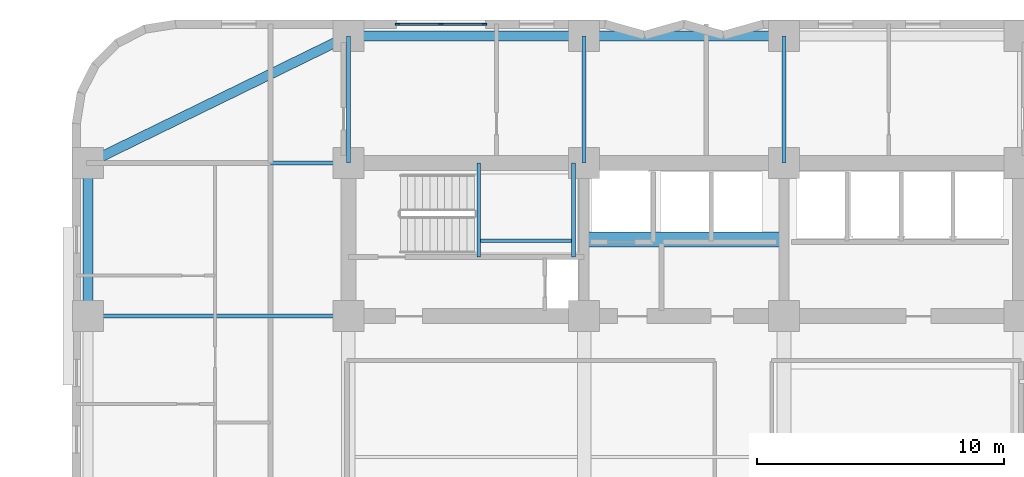
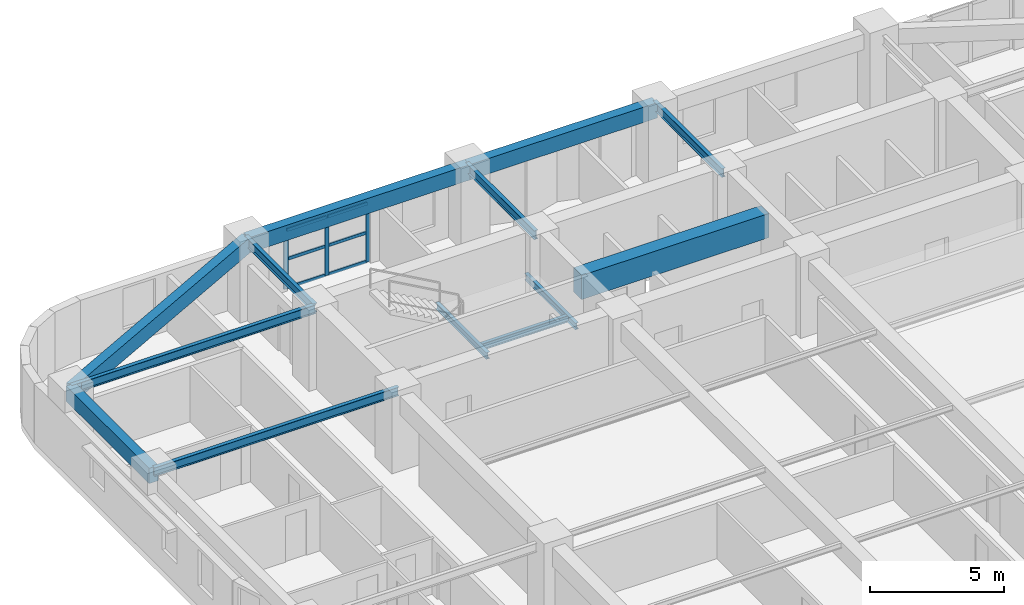
# One storey, part 3 of 13: 13 beams, 9 members, 1 element without a shape of its own.
"""IFC4 building model written with IfcOpenShell, lengths in metres."""

from ifc_helpers import new_model, si_unit, direction, frame, origin, origin_2d, place, context, subcontext, project, spatial, rectangle, i_section, extrude, material, material_profile, profile_set, type_object, element, aggregate, save


model = new_model("IFC4")

# Units and contexts
model_context = context("Model", 3, precision=1e-05, world=origin(), true_north=direction((0.0, 1.0)))
body_context = subcontext(model_context, "Body", "Model", "MODEL_VIEW")
ifc_project = project(units=[si_unit("LENGTHUNIT", "METRE"), si_unit("AREAUNIT", "SQUARE_METRE"), si_unit("VOLUMEUNIT", "CUBIC_METRE"), si_unit("PLANEANGLEUNIT", "RADIAN"), si_unit("MASSUNIT", "GRAM", prefix="KILO")], contexts=[model_context])

# Site, building, storey
site_placement = place(None, origin())
site = spatial("IfcSite", under=ifc_project, at=site_placement, CompositionType="ELEMENT")
building_placement = place(site_placement, origin())
building = spatial("IfcBuilding", under=site, at=building_placement, Name="Svetorya Sky Lyceum", CompositionType="ELEMENT")
storey_placement = place(building_placement, frame((0.0, 0.0, 58.39990234375)))
storey = spatial("IfcBuildingStorey", under=building, at=storey_placement, Name="L14", CompositionType="ELEMENT", Elevation=58.39990234375)

# Beams
ifc_material_1 = material(Name="Concrete C60/75", Category="concrete")
ifc_material_profile_1 = material_profile(ifc_material_1, rectangle(XDim=0.60009765625, YDim=1.10009765625, at=origin_2d()), Name="RC COUPLING 600x1100")
ifc_profile_set_1 = profile_set([ifc_material_profile_1], Name="Concrete C60/75")
beam_type_1 = type_object("IfcBeamType", Name="BM-CPL-1100", PredefinedType="LINTEL", material=ifc_profile_set_1)
beam_1_placement = place(storey_placement, frame((35.14990234375, 42.699951171875, 2.8701171875), z_axis=(1.0, 0.0, 0.0), x_axis=(0.0, 1.0, 0.0)))
element("IfcBeam", 1, at=beam_1_placement, inside=storey, type_object=beam_type_1, Name="L14 NC Core Coupling Beam", PredefinedType="LINTEL", context=body_context, shape_type="SweptSolid", body=[
    extrude(rectangle(XDim=0.60009765625, YDim=1.10009765625, at=origin_2d()), origin(), (0.0, 0.0, 1.0), 8.10009765625),
])
ifc_material_2 = material(Name="Concrete C50/60", Category="concrete")
ifc_material_profile_2 = material_profile(ifc_material_2, rectangle(XDim=0.39990234375, YDim=0.699951171875, at=origin_2d()), Name="RC SPANDREL 400x700")
ifc_profile_set_2 = profile_set([ifc_material_profile_2], Name="Concrete C50/60")
beam_type_2 = type_object("IfcBeamType", Name="BM-SPN-700", PredefinedType="SPANDREL", material=ifc_profile_set_2)
beam_2_placement = place(storey_placement, frame((25.60009765625, 50.949951171875, 3.070068359375), z_axis=(1.0, 0.0, 0.0), x_axis=(0.0, 1.0, 0.0)))
element("IfcBeam", 2, at=beam_2_placement, inside=storey, type_object=beam_type_2, Name="L14 North Spandrel 1", PredefinedType="SPANDREL", context=body_context, shape_type="SweptSolid", body=[
    extrude(rectangle(XDim=0.39990234375, YDim=0.699951171875, at=origin_2d()), origin(), (0.0, 0.0, 1.0), 9.5498046875),
])
beam_3_placement = place(storey_placement, frame((35.14990234375, 50.949951171875, 3.070068359375), z_axis=(1.0, 0.0, 0.0), x_axis=(0.0, 1.0, 0.0)))
element("IfcBeam", 3, at=beam_3_placement, inside=storey, type_object=beam_type_2, Name="L14 North Spandrel 2", PredefinedType="SPANDREL", context=body_context, shape_type="SweptSolid", body=[
    extrude(rectangle(XDim=0.39990234375, YDim=0.699951171875, at=origin_2d()), origin(), (0.0, 0.0, 1.0), 8.10009765625),
])
beam_4_placement = place(storey_placement, frame((15.050048828125, 45.800048828125, 3.070068359375), z_axis=(0.898649693653, 0.438666989978, 0.0), x_axis=(-0.438666989978, 0.898649693653, 0.0)))
element("IfcBeam", 4, at=beam_4_placement, inside=storey, type_object=beam_type_2, Name="L14 Corner Spandrel 4", PredefinedType="SPANDREL", context=body_context, shape_type="SweptSolid", body=[
    extrude(rectangle(XDim=0.39990234375, YDim=0.699951171875, at=origin_2d()), origin(), (0.0, 0.0, 1.0), 11.739990234375),
])
beam_5_placement = place(storey_placement, frame((15.050048828125, 39.60009765625, 3.070068359375), z_axis=(0.0, 1.0, 0.0), x_axis=(-1.0, 0.0, 0.0)))
element("IfcBeam", 5, at=beam_5_placement, inside=storey, type_object=beam_type_2, Name="L14 West Spandrel 4", PredefinedType="SPANDREL", context=body_context, shape_type="SweptSolid", body=[
    extrude(rectangle(XDim=0.39990234375, YDim=0.699951171875, at=origin_2d()), origin(), (0.0, 0.0, 1.0), 6.199951171875),
])
ifc_material_3 = material(Name="Steel S355", Category="steel")
ifc_material_profile_3 = material_profile(ifc_material_3, i_section(OverallWidth=0.14990234375, OverallDepth=0.299072265625, WebThickness=0.006591796875, FlangeThickness=0.010498046875, at=origin_2d()), Name="GOST 30B2")
ifc_profile_set_3 = profile_set([ifc_material_profile_3], Name="Steel S355")
beam_type_3 = type_object("IfcBeamType", Name="BM-STL-30B2", PredefinedType="JOIST", material=ifc_profile_set_3)
for number, where, z_axis, x_axis, name in (
    (6, (30.8798828125, 42.0, 1.50048828125), (0.0, 1.0, 0.0), (-1.0, 0.0, 0.0), "L14 Stair ST-N Half-Landing Support Beam 16.1"),
    (7, (34.719970703125, 42.0, 1.50048828125), (0.0, 1.0, 0.0), (-1.0, 0.0, 0.0), "L14 Stair ST-N Half-Landing Support Beam 16.2"),
):
    element("IfcBeam", number, at=place(storey_placement, frame(where, z_axis=z_axis, x_axis=x_axis)), inside=storey, type_object=beam_type_3, Name=name, PredefinedType="JOIST", context=body_context, shape_type="SweptSolid", body=[
        extrude(i_section(OverallWidth=0.14990234375, OverallDepth=0.299072265625, WebThickness=0.006591796875, FlangeThickness=0.010498046875, at=origin_2d()), origin(), (0.0, 0.0, 1.0), 3.800048828125),
    ])
beam_6_placement = place(storey_placement, frame((30.8798828125, 42.64990234375, 1.50048828125), z_axis=(1.0, 0.0, 0.0), x_axis=(0.0, 1.0, 0.0)))
element("IfcBeam", 8, at=beam_6_placement, inside=storey, type_object=beam_type_3, Name="L14 Stair ST-N Half-Landing Cross Tie 16", PredefinedType="JOIST", context=body_context, shape_type="SweptSolid", body=[
    extrude(i_section(OverallWidth=0.14990234375, OverallDepth=0.299072265625, WebThickness=0.006591796875, FlangeThickness=0.010498046875, at=origin_2d()), origin(), (0.0, 0.0, 1.0), 3.840087890625),
])
ifc_material_profile_4 = material_profile(ifc_material_3, i_section(OverallWidth=0.1650390625, OverallDepth=0.39990234375, WebThickness=0.008056640625, FlangeThickness=0.012939453125, at=origin_2d()), Name="GOST 40B2")
ifc_profile_set_4 = profile_set([ifc_material_profile_4], Name="Steel S355")
beam_type_4 = type_object("IfcBeamType", Name="BM-STL-40B2", PredefinedType="JOIST", material=ifc_profile_set_4)
for number, where, z_axis, x_axis, name in (
    (9, (15.050048828125, 39.60009765625, 3.22021484375), (1.0, 0.0, 0.0), (0.0, 1.0, 0.0), "L14 West Wing Floor Joist W4"),
    (10, (15.050048828125, 45.800048828125, 3.22021484375), (1.0, 0.0, 0.0), (0.0, 1.0, 0.0), "L14 West Wing Floor Joist W5"),
):
    element("IfcBeam", number, at=place(storey_placement, frame(where, z_axis=z_axis, x_axis=x_axis)), inside=storey, type_object=beam_type_4, Name=name, PredefinedType="JOIST", context=body_context, shape_type="SweptSolid", body=[
        extrude(i_section(OverallWidth=0.1650390625, OverallDepth=0.39990234375, WebThickness=0.008056640625, FlangeThickness=0.012939453125, at=origin_2d()), origin(), (0.0, 0.0, 1.0), 10.550048828125),
    ])
for number, where, z_axis, x_axis, name in (
    (11, (25.60009765625, 45.800048828125, 3.22021484375), (0.0, 1.0, 0.0), (-1.0, 0.0, 0.0), "L14 North Bay Floor Girder N1"),
    (12, (35.14990234375, 45.800048828125, 3.22021484375), (0.0, 1.0, 0.0), (-1.0, 0.0, 0.0), "L14 North Bay Floor Girder N2"),
    (13, (43.25, 45.800048828125, 3.22021484375), (0.0, 1.0, 0.0), (-1.0, 0.0, 0.0), "L14 North Bay Floor Girder N3"),
):
    element("IfcBeam", number, at=place(storey_placement, frame(where, z_axis=z_axis, x_axis=x_axis)), inside=storey, type_object=beam_type_4, Name=name, PredefinedType="JOIST", context=body_context, shape_type="SweptSolid", body=[
        extrude(i_section(OverallWidth=0.1650390625, OverallDepth=0.39990234375, WebThickness=0.008056640625, FlangeThickness=0.012939453125, at=origin_2d()), origin(), (0.0, 0.0, 1.0), 5.14990234375),
    ])

# Curtain wall, members
ifc_material_4 = material(Name="Thermally broken anodized aluminium and triple low-E glass", Category="aluminium")
curtain_wall_type = type_object("IfcCurtainWallType", Name="CW3-LOG-RES", PredefinedType="NOTDEFINED", material=ifc_material_4)
curtain_wall_placement = place(storey_placement, origin())
curtain_wall = element("IfcCurtainWall", 14, at=curtain_wall_placement, inside=storey, type_object=curtain_wall_type, Name="L14 Recessed Loggia Curtain Wall 34", PredefinedType="NOTDEFINED")
ifc_material_5 = material(Name="Thermally broken anodized aluminium EN AW-6060", Category="aluminium")
ifc_material_profile_5 = material_profile(ifc_material_5, rectangle(XDim=0.06494140625, YDim=0.179931640625, at=origin_2d()), Name="ALU MULLION 65x180")
ifc_profile_set_5 = profile_set([ifc_material_profile_5], Name="Thermally broken anodized aluminium EN AW-6060")
member_type_1 = type_object("IfcMemberType", Name="CWM-MUL-180", PredefinedType="MULLION", material=ifc_profile_set_5)
member_1_placement = place(storey_placement, frame((31.117431640625, 51.429931640625, 0.0), z_axis=(0.0, 0.0, 1.0), x_axis=(0.0, -1.0, 0.0)))
member_1 = element("IfcMember", 15, at=member_1_placement, type_object=member_type_1, Name="CW-3 mullion 1", PredefinedType="MULLION", context=body_context, shape_type="SweptSolid", body=[
    extrude(rectangle(XDim=0.06494140625, YDim=0.179931640625, at=origin_2d()), origin(), (0.0, 0.0, 1.0), 2.7001953125),
])
member_2_placement = place(storey_placement, frame((29.35009765625, 51.429931640625, 0.0), z_axis=(0.0, 0.0, 1.0), x_axis=(0.0, -1.0, 0.0)))
member_2 = element("IfcMember", 16, at=member_2_placement, type_object=member_type_1, Name="CW-3 mullion 2", PredefinedType="MULLION", context=body_context, shape_type="SweptSolid", body=[
    extrude(rectangle(XDim=0.06494140625, YDim=0.179931640625, at=origin_2d()), origin(), (0.0, 0.0, 1.0), 2.7001953125),
])
member_3_placement = place(storey_placement, frame((27.58251953125, 51.429931640625, 0.0), z_axis=(0.0, 0.0, 1.0), x_axis=(0.0, -1.0, 0.0)))
member_3 = element("IfcMember", 17, at=member_3_placement, type_object=member_type_1, Name="CW-3 mullion 3", PredefinedType="MULLION", context=body_context, shape_type="SweptSolid", body=[
    extrude(rectangle(XDim=0.06494140625, YDim=0.179931640625, at=origin_2d()), origin(), (0.0, 0.0, 1.0), 2.7001953125),
])
ifc_material_profile_6 = material_profile(ifc_material_5, rectangle(XDim=0.06494140625, YDim=0.139892578125, at=origin_2d()), Name="ALU TRANSOM 65x140")
ifc_profile_set_6 = profile_set([ifc_material_profile_6], Name="Thermally broken anodized aluminium EN AW-6060")
member_type_2 = type_object("IfcMemberType", Name="CWM-TRN-140", PredefinedType="USERDEFINED", material=ifc_profile_set_6)
member_4_placement = place(storey_placement, frame((31.08642578125, 51.429931640625, 0.03271484375), z_axis=(-1.0, 0.0, 0.0), x_axis=(0.0, -1.0, 0.0)))
member_4 = element("IfcMember", 18, at=member_4_placement, type_object=member_type_2, Name="CW-3 transom 1.1", ObjectType="TRANSOM", PredefinedType="USERDEFINED", context=body_context, shape_type="SweptSolid", body=[
    extrude(rectangle(XDim=0.06494140625, YDim=0.139892578125, at=origin_2d()), origin(), (0.0, 0.0, 1.0), 1.705322265625),
])
member_5_placement = place(storey_placement, frame((31.08642578125, 51.429931640625, 1.35009765625), z_axis=(-1.0, 0.0, 0.0), x_axis=(0.0, -1.0, 0.0)))
member_5 = element("IfcMember", 19, at=member_5_placement, type_object=member_type_2, Name="CW-3 transom 1.2", ObjectType="TRANSOM", PredefinedType="USERDEFINED", context=body_context, shape_type="SweptSolid", body=[
    extrude(rectangle(XDim=0.06494140625, YDim=0.139892578125, at=origin_2d()), origin(), (0.0, 0.0, 1.0), 1.705322265625),
])
member_6_placement = place(storey_placement, frame((31.08642578125, 51.429931640625, 2.66748046875), z_axis=(-1.0, 0.0, 0.0), x_axis=(0.0, -1.0, 0.0)))
member_6 = element("IfcMember", 20, at=member_6_placement, type_object=member_type_2, Name="CW-3 transom 1.3", ObjectType="TRANSOM", PredefinedType="USERDEFINED", context=body_context, shape_type="SweptSolid", body=[
    extrude(rectangle(XDim=0.06494140625, YDim=0.139892578125, at=origin_2d()), origin(), (0.0, 0.0, 1.0), 1.705322265625),
])
member_7_placement = place(storey_placement, frame((29.319091796875, 51.429931640625, 0.03271484375), z_axis=(-1.0, 0.0, 0.0), x_axis=(0.0, -1.0, 0.0)))
member_7 = element("IfcMember", 21, at=member_7_placement, type_object=member_type_2, Name="CW-3 transom 2.1", ObjectType="TRANSOM", PredefinedType="USERDEFINED", context=body_context, shape_type="SweptSolid", body=[
    extrude(rectangle(XDim=0.06494140625, YDim=0.139892578125, at=origin_2d()), origin(), (0.0, 0.0, 1.0), 1.70556640625),
])
member_8_placement = place(storey_placement, frame((29.319091796875, 51.429931640625, 1.35009765625), z_axis=(-1.0, 0.0, 0.0), x_axis=(0.0, -1.0, 0.0)))
member_8 = element("IfcMember", 22, at=member_8_placement, type_object=member_type_2, Name="CW-3 transom 2.2", ObjectType="TRANSOM", PredefinedType="USERDEFINED", context=body_context, shape_type="SweptSolid", body=[
    extrude(rectangle(XDim=0.06494140625, YDim=0.139892578125, at=origin_2d()), origin(), (0.0, 0.0, 1.0), 1.70556640625),
])
member_9_placement = place(storey_placement, frame((29.319091796875, 51.429931640625, 2.66748046875), z_axis=(-1.0, 0.0, 0.0), x_axis=(0.0, -1.0, 0.0)))
member_9 = element("IfcMember", 23, at=member_9_placement, type_object=member_type_2, Name="CW-3 transom 2.3", ObjectType="TRANSOM", PredefinedType="USERDEFINED", context=body_context, shape_type="SweptSolid", body=[
    extrude(rectangle(XDim=0.06494140625, YDim=0.139892578125, at=origin_2d()), origin(), (0.0, 0.0, 1.0), 1.70556640625),
])
aggregate(curtain_wall, [member_1, member_2, member_3, member_4, member_5, member_6, member_7, member_8, member_9])

save(model, "model.ifc")
